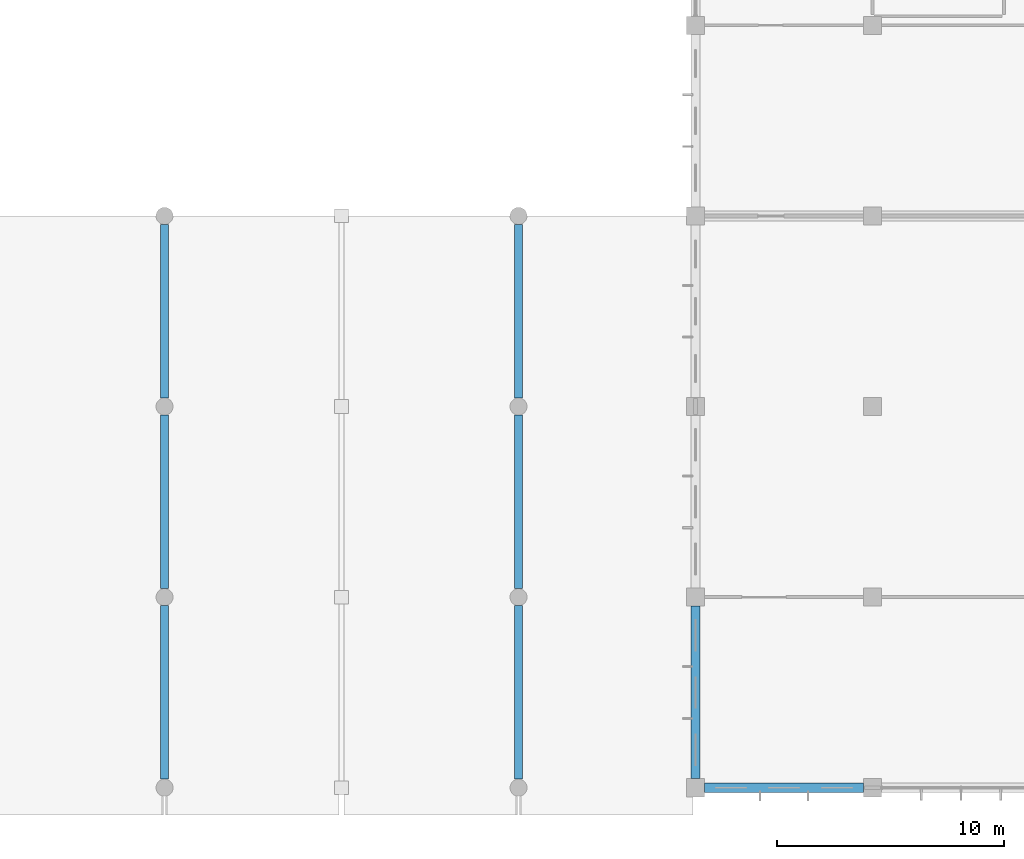
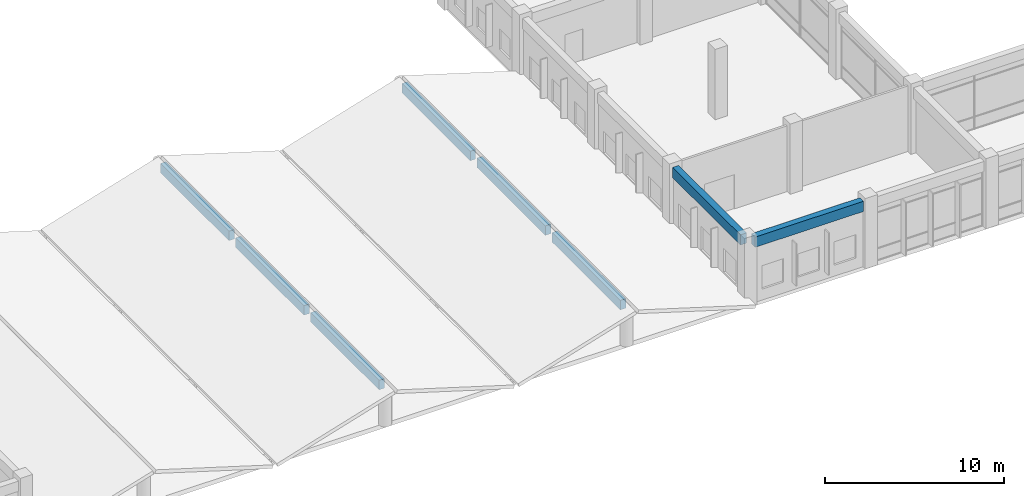
# One storey, part 8 of 62: 8 beams.
"""IFC4 building model written with IfcOpenShell, lengths in metres."""

from ifc_helpers import new_model, si_unit, direction, frame, origin, origin_2d, place, context, subcontext, project, spatial, rectangle, extrude, material, material_profile, profile_set, type_object, element, save


model = new_model("IFC4")

# Units and contexts
model_context = context("Model", 3, precision=1e-05, world=origin(), true_north=direction((0.0, 1.0)))
body_context = subcontext(model_context, "Body", "Model", "MODEL_VIEW")
ifc_project = project(units=[si_unit("LENGTHUNIT", "METRE"), si_unit("AREAUNIT", "SQUARE_METRE"), si_unit("VOLUMEUNIT", "CUBIC_METRE"), si_unit("PLANEANGLEUNIT", "RADIAN"), si_unit("MASSUNIT", "GRAM", prefix="KILO"), si_unit("THERMODYNAMICTEMPERATUREUNIT", "KELVIN"), si_unit("POWERUNIT", "WATT")], contexts=[model_context])

# Site, building, storey
site_placement = place(None, origin())
site = spatial("IfcSite", under=ifc_project, at=site_placement, CompositionType="ELEMENT")
building_placement = place(site_placement, origin())
building = spatial("IfcBuilding", under=site, at=building_placement, Name="Srebrne Nadtorze General Hospital", CompositionType="ELEMENT")
storey_placement = place(building_placement, frame((0.0, 0.0, 9.60009765625)))
storey = spatial("IfcBuildingStorey", under=building, at=storey_placement, Name="L02", CompositionType="ELEMENT", Elevation=9.60009765625)

# Beams
ifc_material_1 = material(Name="Concrete C35/45", Category="concrete")
ifc_material_profile_1 = material_profile(ifc_material_1, rectangle(XDim=0.35009765625, YDim=0.64990234375, at=origin_2d()), Name="RC-BM-350x650")
ifc_profile_set_1 = profile_set([ifc_material_profile_1], Name="Concrete C35/45")
beam_type_1 = type_object("IfcBeamType", Name="Edge beam RC 350x650", PredefinedType="BEAM", material=ifc_profile_set_1)
beam_1_placement = place(storey_placement, frame((78.0, 0.375, 2.434814453125), z_axis=(0.0, 1.0, 0.0), x_axis=(-1.0, 0.0, 0.0)))
element("IfcBeam", 1, at=beam_1_placement, inside=storey, type_object=beam_type_1, Name="Folded plate ridge beam 11-1", PredefinedType="BEAM", context=body_context, shape_type="SweptSolid", body=[
    extrude(rectangle(XDim=0.35009765625, YDim=0.64990234375, at=origin_2d()), origin(), (0.0, 0.0, 1.0), 7.64990234375),
])
beam_2_placement = place(storey_placement, frame((78.0, 8.77490234375, 2.434814453125), z_axis=(0.0, 1.0, 0.0), x_axis=(-1.0, 0.0, 0.0)))
element("IfcBeam", 2, at=beam_2_placement, inside=storey, type_object=beam_type_1, Name="Folded plate ridge beam 11-2", PredefinedType="BEAM", context=body_context, shape_type="SweptSolid", body=[
    extrude(rectangle(XDim=0.35009765625, YDim=0.64990234375, at=origin_2d()), origin(), (0.0, 0.0, 1.0), 7.650146484375),
])
for number, where, z_axis, x_axis, name in (
    (3, (78.0, 17.175048828125, 2.434814453125), (0.0, 1.0, 0.0), (-1.0, 0.0, 0.0), "Folded plate ridge beam 11-3"),
    (4, (93.60009765625, 0.375, 2.434814453125), (0.0, 1.0, 0.0), (-1.0, 0.0, 0.0), "Folded plate ridge beam 13-1"),
):
    element("IfcBeam", number, at=place(storey_placement, frame(where, z_axis=z_axis, x_axis=x_axis)), inside=storey, type_object=beam_type_1, Name=name, PredefinedType="BEAM", context=body_context, shape_type="SweptSolid", body=[
        extrude(rectangle(XDim=0.35009765625, YDim=0.64990234375, at=origin_2d()), origin(), (0.0, 0.0, 1.0), 7.64990234375),
    ])
beam_3_placement = place(storey_placement, frame((93.60009765625, 8.77490234375, 2.434814453125), z_axis=(0.0, 1.0, 0.0), x_axis=(-1.0, 0.0, 0.0)))
element("IfcBeam", 5, at=beam_3_placement, inside=storey, type_object=beam_type_1, Name="Folded plate ridge beam 13-2", PredefinedType="BEAM", context=body_context, shape_type="SweptSolid", body=[
    extrude(rectangle(XDim=0.35009765625, YDim=0.64990234375, at=origin_2d()), origin(), (0.0, 0.0, 1.0), 7.650146484375),
])
beam_4_placement = place(storey_placement, frame((93.60009765625, 17.175048828125, 2.434814453125), z_axis=(0.0, 1.0, 0.0), x_axis=(-1.0, 0.0, 0.0)))
element("IfcBeam", 6, at=beam_4_placement, inside=storey, type_object=beam_type_1, Name="Folded plate ridge beam 13-3", PredefinedType="BEAM", context=body_context, shape_type="SweptSolid", body=[
    extrude(rectangle(XDim=0.35009765625, YDim=0.64990234375, at=origin_2d()), origin(), (0.0, 0.0, 1.0), 7.64990234375),
])
ifc_material_2 = material(Name="Concrete C40/50", Category="concrete")
ifc_material_profile_2 = material_profile(ifc_material_2, rectangle(XDim=0.39990234375, YDim=0.699951171875, at=origin_2d()), Name="RC-BM-400x700")
ifc_profile_set_2 = profile_set([ifc_material_profile_2], Name="Concrete C40/50")
beam_type_2 = type_object("IfcBeamType", Name="Edge beam RC 400x700", PredefinedType="BEAM", material=ifc_profile_set_2)
beam_5_placement = place(storey_placement, frame((101.800048828125, 0.0, 4.14990234375), z_axis=(1.0, 0.0, 0.0), x_axis=(0.0, 1.0, 0.0)))
element("IfcBeam", 7, at=beam_5_placement, inside=storey, type_object=beam_type_2, Name="Beam BM-L02-X-0557", PredefinedType="BEAM", context=body_context, shape_type="SweptSolid", body=[
    extrude(rectangle(XDim=0.39990234375, YDim=0.699951171875, at=origin_2d()), origin(), (0.0, 0.0, 1.0), 7.0),
])
beam_6_placement = place(storey_placement, frame((101.39990234375, 0.39990234375, 4.14990234375), z_axis=(0.0, 1.0, 0.0), x_axis=(-1.0, 0.0, 0.0)))
element("IfcBeam", 8, at=beam_6_placement, inside=storey, type_object=beam_type_2, Name="Beam BM-L02-Y-0672", PredefinedType="BEAM", context=body_context, shape_type="SweptSolid", body=[
    extrude(rectangle(XDim=0.39990234375, YDim=0.699951171875, at=origin_2d()), origin(), (0.0, 0.0, 1.0), 7.60009765625),
])

save(model, "model.ifc")
